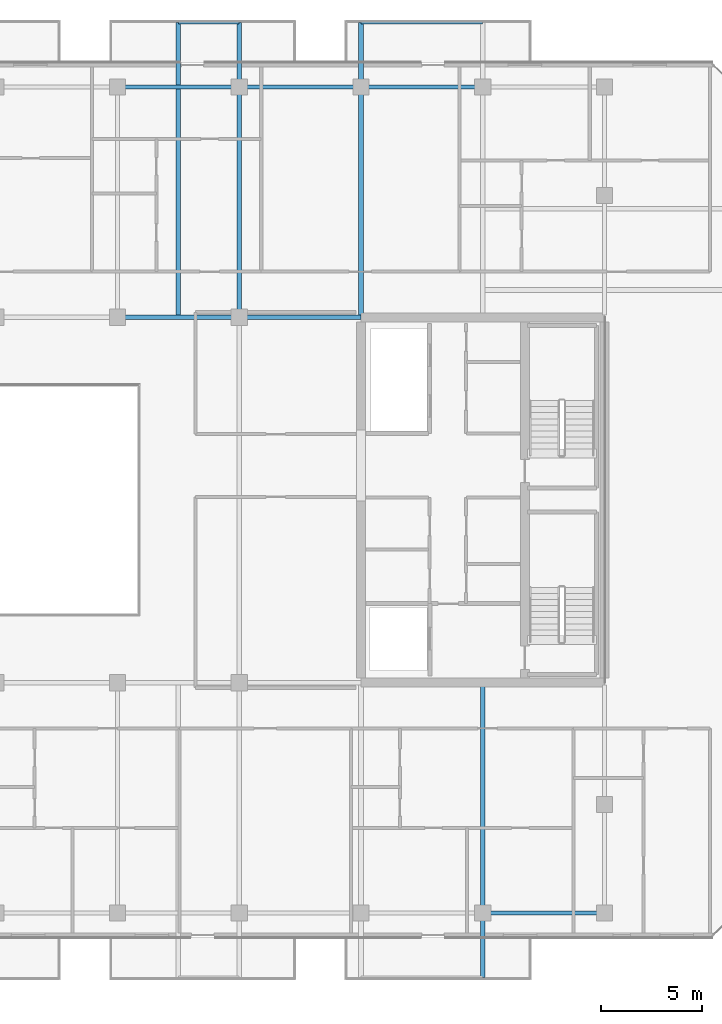
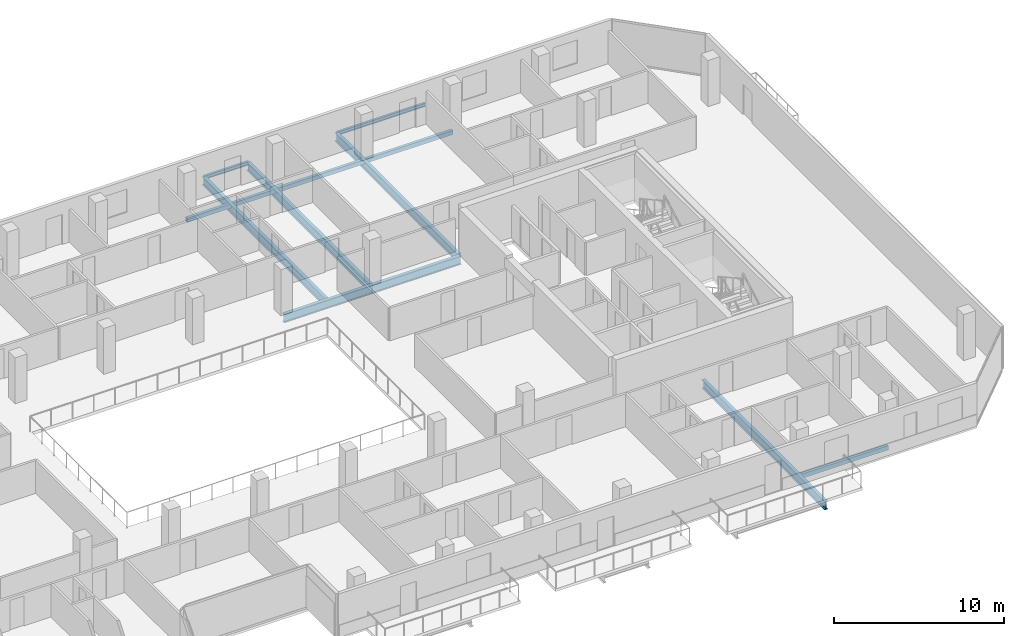
# One storey, part 13 of 28: 12 beams.
"""IFC4 building model written with IfcOpenShell, lengths in metres."""

from ifc_helpers import new_model, si_unit, direction, frame, origin, origin_2d, place, context, subcontext, project, spatial, hollow_rectangle, i_section, extrude, material, material_profile, profile_set, type_object, element, save


model = new_model("IFC4")

# Units and contexts
model_context = context("Model", 3, precision=1e-05, world=origin(), true_north=direction((0.0, 1.0)))
body_context = subcontext(model_context, "Body", "Model", "MODEL_VIEW")
ifc_project = project(units=[si_unit("LENGTHUNIT", "METRE"), si_unit("AREAUNIT", "SQUARE_METRE"), si_unit("VOLUMEUNIT", "CUBIC_METRE"), si_unit("PLANEANGLEUNIT", "RADIAN"), si_unit("MASSUNIT", "GRAM", prefix="KILO")], contexts=[model_context])

# Site, building, storey
site_placement = place(None, origin())
site = spatial("IfcSite", under=ifc_project, at=site_placement, CompositionType="ELEMENT")
building_placement = place(site_placement, origin())
building = spatial("IfcBuilding", under=site, at=building_placement, Name="Tanjung Sevakor Pilgrim Tower", CompositionType="ELEMENT")
storey_placement = place(building_placement, frame((0.0, 0.0, 185.1298828125)))
storey = spatial("IfcBuildingStorey", under=building, at=storey_placement, Name="L51", CompositionType="ELEMENT", Elevation=185.1298828125)

# Beams
ifc_material_1 = material(Name="Steel S355J2", Category="steel")
ifc_material_profile_1 = material_profile(ifc_material_1, i_section(OverallWidth=0.22900390625, OverallDepth=0.6123046875, WebThickness=0.011962890625, FlangeThickness=0.01953125, FilletRadius=0.0126953125, at=origin_2d()))
ifc_profile_set_1 = profile_set([ifc_material_profile_1], Name="Steel S355J2")
beam_type_1 = type_object("IfcBeamType", Name="BM-B-G4-UB_610x229x125", PredefinedType="BEAM", material=ifc_profile_set_1)
for number, where, z_axis, x_axis, name in (
    (1, (66.0, 42.60009765625, -0.52587890625), (1.0, 0.0, 0.0), (0.0, 1.0, 0.0), "L51 Primary Floor Girder MAIN Y426-07"),
    (2, (72.0, 42.60009765625, -0.52587890625), (1.0, 0.0, 0.0), (0.0, 1.0, 0.0), "L51 Primary Floor Girder MAIN Y426-08"),
):
    element("IfcBeam", number, at=place(storey_placement, frame(where, z_axis=z_axis, x_axis=x_axis)), inside=storey, type_object=beam_type_1, Name=name, PredefinedType="BEAM", context=body_context, shape_type="SweptSolid", body=[
        extrude(i_section(OverallWidth=0.22900390625, OverallDepth=0.6123046875, WebThickness=0.011962890625, FlangeThickness=0.01953125, FilletRadius=0.0126953125, at=origin_2d()), origin(), (0.0, 0.0, 1.0), 6.0),
    ])
beam_1_placement = place(storey_placement, frame((69.0, 42.714599609375, -0.52587890625), z_axis=(0.0, 1.0, 0.0), x_axis=(-1.0, 0.0, 0.0)))
element("IfcBeam", 3, at=beam_1_placement, inside=storey, type_object=beam_type_1, Name="L51 Balcony Cantilever Beam MAIN-N3-1", PredefinedType="BEAM", context=body_context, shape_type="SweptSolid", body=[
    extrude(i_section(OverallWidth=0.22900390625, OverallDepth=0.6123046875, WebThickness=0.011962890625, FlangeThickness=0.01953125, FilletRadius=0.0126953125, at=origin_2d()), origin(), (0.0, 0.0, 1.0), 14.415283203125),
])
beam_2_placement = place(storey_placement, frame((72.0, 42.60009765625, -0.52587890625), z_axis=(0.0, 1.0, 0.0), x_axis=(-1.0, 0.0, 0.0)))
element("IfcBeam", 4, at=beam_2_placement, inside=storey, type_object=beam_type_1, Name="L51 Balcony Cantilever Beam MAIN-N3-2", PredefinedType="BEAM", context=body_context, shape_type="SweptSolid", body=[
    extrude(i_section(OverallWidth=0.22900390625, OverallDepth=0.6123046875, WebThickness=0.011962890625, FlangeThickness=0.01953125, FilletRadius=0.0126953125, at=origin_2d()), origin(), (0.0, 0.0, 1.0), 14.52978515625),
])
beam_3_placement = place(storey_placement, frame((78.0, 42.714599609375, -0.52587890625), z_axis=(0.0, 1.0, 0.0), x_axis=(-1.0, 0.0, 0.0)))
element("IfcBeam", 5, at=beam_3_placement, inside=storey, type_object=beam_type_1, Name="L51 Balcony Cantilever Beam MAIN-N4-1", PredefinedType="BEAM", context=body_context, shape_type="SweptSolid", body=[
    extrude(i_section(OverallWidth=0.22900390625, OverallDepth=0.6123046875, WebThickness=0.011962890625, FlangeThickness=0.01953125, FilletRadius=0.0126953125, at=origin_2d()), origin(), (0.0, 0.0, 1.0), 14.415283203125),
])
beam_4_placement = place(storey_placement, frame((84.0, 24.485595703125, -0.52587890625), z_axis=(0.0, -1.0, 0.0), x_axis=(1.0, 0.0, 0.0)))
element("IfcBeam", 6, at=beam_4_placement, inside=storey, type_object=beam_type_1, Name="L51 Balcony Cantilever Beam MAIN-S4-2", PredefinedType="BEAM", context=body_context, shape_type="SweptSolid", body=[
    extrude(i_section(OverallWidth=0.22900390625, OverallDepth=0.6123046875, WebThickness=0.011962890625, FlangeThickness=0.01953125, FilletRadius=0.0126953125, at=origin_2d()), origin(), (0.0, 0.0, 1.0), 14.41552734375),
])
ifc_material_2 = material(Name="Steel S355J2", Category="steel")
ifc_material_profile_2 = material_profile(ifc_material_2, i_section(OverallWidth=0.146484375, OverallDepth=0.256103515625, WebThickness=0.00634765625, FlangeThickness=0.010986328125, FilletRadius=0.007568359375, at=origin_2d()))
ifc_profile_set_2 = profile_set([ifc_material_profile_2], Name="Steel S355J2")
beam_type_2 = type_object("IfcBeamType", Name="BM-B-J6-UB_254x146x37", PredefinedType="JOIST", material=ifc_profile_set_2)
beam_5_placement = place(storey_placement, frame((69.0, 57.1298828125, -0.327880859375), z_axis=(1.0, 0.0, 0.0), x_axis=(0.0, 1.0, 0.0)))
element("IfcBeam", 7, at=beam_5_placement, inside=storey, type_object=beam_type_2, Name="L51 Balcony Rim Tie MAIN-N3", PredefinedType="JOIST", context=body_context, shape_type="SweptSolid", body=[
    extrude(i_section(OverallWidth=0.146484375, OverallDepth=0.256103515625, WebThickness=0.00634765625, FlangeThickness=0.010986328125, FilletRadius=0.007568359375, at=origin_2d()), origin(), (0.0, 0.0, 1.0), 3.0),
])
beam_6_placement = place(storey_placement, frame((78.0, 57.1298828125, -0.327880859375), z_axis=(1.0, 0.0, 0.0), x_axis=(0.0, 1.0, 0.0)))
element("IfcBeam", 8, at=beam_6_placement, inside=storey, type_object=beam_type_2, Name="L51 Balcony Rim Tie MAIN-N4", PredefinedType="JOIST", context=body_context, shape_type="SweptSolid", body=[
    extrude(i_section(OverallWidth=0.146484375, OverallDepth=0.256103515625, WebThickness=0.00634765625, FlangeThickness=0.010986328125, FilletRadius=0.007568359375, at=origin_2d()), origin(), (0.0, 0.0, 1.0), 6.0),
])
ifc_material_3 = material(Name="Steel S355J2", Category="steel")
ifc_material_profile_3 = material_profile(ifc_material_3, hollow_rectangle(XDim=0.199951171875, YDim=0.300048828125, WallThickness=0.012451171875, at=origin_2d()))
ifc_profile_set_3 = profile_set([ifc_material_profile_3], Name="Steel S355J2")
beam_type_3 = type_object("IfcBeamType", Name="BM-B-SP3-RHS_300x200x12.5", PredefinedType="SPANDREL", material=ifc_profile_set_3)
for number, where, z_axis, x_axis, name in (
    (9, (66.0, 53.949951171875, -0.369873046875), (1.0, 0.0, 0.0), (0.0, 1.0, 0.0), "L51 Spandrel MAIN N-10"),
    (10, (72.0, 53.949951171875, -0.369873046875), (1.0, 0.0, 0.0), (0.0, 1.0, 0.0), "L51 Spandrel MAIN N-12"),
    (11, (78.0, 53.949951171875, -0.369873046875), (1.0, 0.0, 0.0), (0.0, 1.0, 0.0), "L51 Spandrel MAIN N-14"),
    (12, (84.0, 13.25, -0.369873046875), (1.0, 0.0, 0.0), (0.0, 1.0, 0.0), "L51 Spandrel MAIN S-15"),
):
    element("IfcBeam", number, at=place(storey_placement, frame(where, z_axis=z_axis, x_axis=x_axis)), inside=storey, type_object=beam_type_3, Name=name, PredefinedType="SPANDREL", context=body_context, shape_type="SweptSolid", body=[
        extrude(hollow_rectangle(XDim=0.199951171875, YDim=0.300048828125, WallThickness=0.012451171875, at=origin_2d()), origin(), (0.0, 0.0, 1.0), 6.0),
    ])

save(model, "model.ifc")
